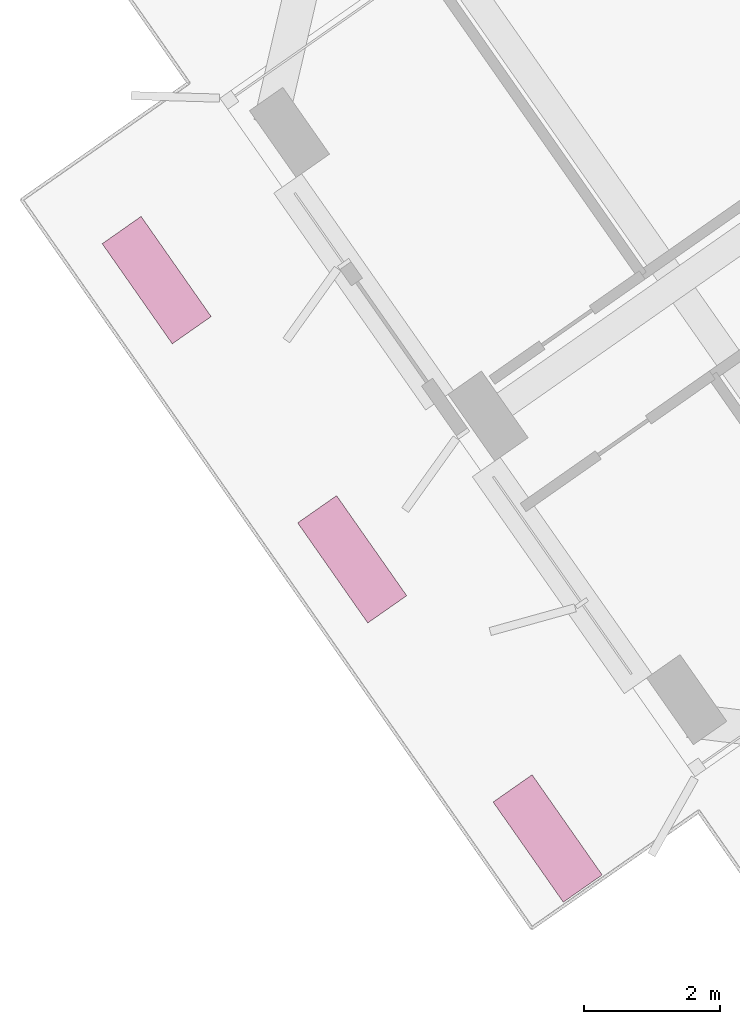
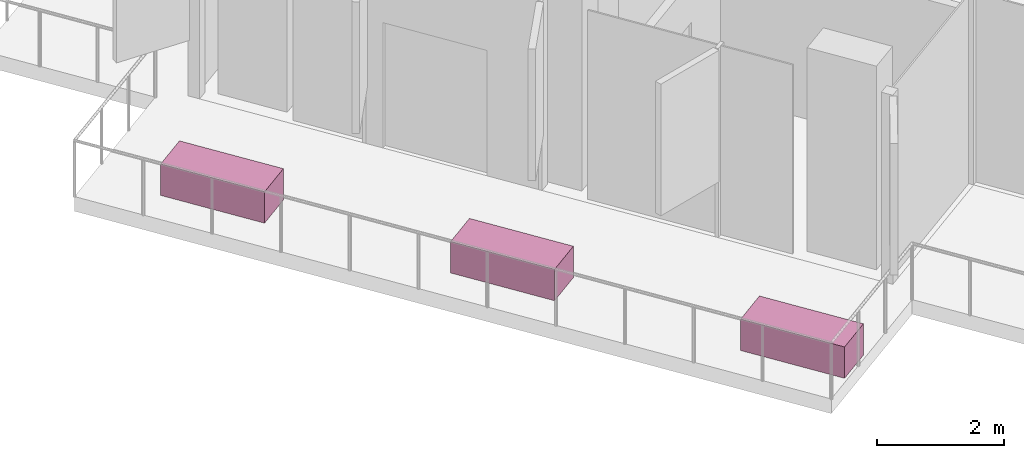
# One storey, part 22 of 22: 3 furniture elements.
"""IFC4 building model written with IfcOpenShell, lengths in metres."""

import ifcopenshell
import ifcopenshell.guid

model = None  # the IFC model being written
_history = None  # IfcOwnerHistory: only IFC2X3 demands one
_inside = {}  # id of a spatial element -> (the spatial element, [elements in it])
_under = {}  # id of a project, library or spatial element -> (it, [spatial elements below it])
_declared = {}  # id of a project -> (the project, [libraries it declares])
_typed = {}  # id of a type object -> (the type object, [elements of that type])
_made_of = {}  # id of a material, layer set ... -> (it, [elements and type objects made of it])


def new_model(schema):
    """Start an empty IFC model of exactly this schema.

    Asked for "IFC4X3", IfcOpenShell would pick the latest addendum, in which some entities
    have other attributes; the version numbers below select the first issue.
    IFC2X3 requires an IfcOwnerHistory on every rooted entity: one is made here for all.
    """
    global model, _history
    if schema == "IFC4X3":
        model = ifcopenshell.file(schema_version=(4, 3, 0, 0))
    else:
        model = ifcopenshell.file(schema=schema)
    _inside.clear()
    _under.clear()
    _declared.clear()
    _typed.clear()
    _made_of.clear()
    _history = None
    if model.schema == "IFC2X3":
        org = make("IfcOrganization", Name="unknown")
        user = make(
            "IfcPersonAndOrganization",
            ThePerson=make("IfcPerson", FamilyName="unknown"),
            TheOrganization=org,
        )
        app = make(
            "IfcApplication",
            ApplicationDeveloper=org,
            Version="unknown",
            ApplicationFullName="unknown",
            ApplicationIdentifier="unknown",
        )
        _history = make(
            "IfcOwnerHistory",
            OwningUser=user,
            OwningApplication=app,
            ChangeAction="ADDED",
            CreationDate=0,
        )
    return model


def make(cls, **values):
    """One entity of the class cls with the attributes given. An attribute that is None is left unset."""
    return model.create_entity(
        cls, **{name: value for name, value in values.items() if value is not None}
    )


def rooted(cls, **values):
    """An entity with a GlobalId (a new one), such as an element, a storey or a relation."""
    return make(cls, GlobalId=ifcopenshell.guid.new(), OwnerHistory=_history, **values)


def si_unit(unit_type, name, prefix=None):
    """IfcSIUnit, for example si_unit("LENGTHUNIT", "METRE", prefix="MILLI")."""
    return make("IfcSIUnit", UnitType=unit_type, Prefix=prefix, Name=name)


def assignment(units):
    """IfcUnitAssignment: the units of a project."""
    return None if units is None else make("IfcUnitAssignment", Units=units)


def point(xyz):
    """IfcCartesianPoint."""
    return None if xyz is None else make("IfcCartesianPoint", Coordinates=xyz)


def direction(xyz):
    """IfcDirection."""
    return None if xyz is None else make("IfcDirection", DirectionRatios=xyz)


def frame(location, z_axis=None, x_axis=None):
    """IfcAxis2Placement3D, a coordinate frame: its origin and axes. An axis left out is left unset."""
    return make(
        "IfcAxis2Placement3D",
        Location=point(location),
        Axis=direction(z_axis),
        RefDirection=direction(x_axis),
    )


def frame_2d(location, x_axis=None):
    """IfcAxis2Placement2D, a coordinate frame in the plane: its origin and x axis."""
    return make(
        "IfcAxis2Placement2D", Location=point(location), RefDirection=direction(x_axis)
    )


def origin():
    """The frame at (0, 0, 0) with its axes left unset."""
    return frame((0.0, 0.0, 0.0))


def origin_2d():
    """The frame at (0, 0) in the plane with its x axis left unset."""
    return frame_2d((0.0, 0.0))


def place(relative_to, where):
    """IfcLocalPlacement: puts the frame where relative to a parent placement (None: the world)."""
    return make(
        "IfcLocalPlacement", PlacementRelTo=relative_to, RelativePlacement=where
    )


def context(
    kind, dimensions, precision=None, world=None, true_north=None, identifier=None
):
    """IfcGeometricRepresentationContext, for example the 3D "Model" context."""
    return make(
        "IfcGeometricRepresentationContext",
        ContextIdentifier=identifier,
        ContextType=kind,
        CoordinateSpaceDimension=dimensions,
        Precision=precision,
        WorldCoordinateSystem=world,
        TrueNorth=true_north,
    )


def subcontext(parent, identifier, kind, view, scale=None):
    """IfcGeometricRepresentationSubContext, for example "Body" below "Model"."""
    return make(
        "IfcGeometricRepresentationSubContext",
        ContextIdentifier=identifier,
        ContextType=kind,
        ParentContext=parent,
        TargetScale=scale,
        TargetView=view,
    )


def project(units=None, contexts=None):
    """IfcProject with its units and contexts."""
    return rooted(
        "IfcProject",
        Name="project",
        RepresentationContexts=contexts,
        UnitsInContext=assignment(units),
    )


def spatial(cls, under=None, at=None, **own):
    """A site, building, storey or space (cls), placed at a placement, below another one or the project."""
    s = rooted(cls, ObjectPlacement=at, **own)
    if under is not None:
        _under.setdefault(under.id(), (under, []))[1].append(s)
    return s


def profile(cls, at=None, kind="AREA", **sizes):
    """A parametric profile (cls). Its sizes go by their IFC names, for example OverallWidth=200.0."""
    return make(cls, ProfileType=kind, Position=at, **sizes)


def rectangle(**sizes):
    """IfcRectangleProfileDef."""
    return profile("IfcRectangleProfileDef", **sizes)


def extrude(swept, where, along, depth):
    """IfcExtrudedAreaSolid: the profile swept, set in the frame where, extruded along a direction by depth."""
    return make(
        "IfcExtrudedAreaSolid",
        SweptArea=swept,
        Position=where,
        ExtrudedDirection=direction(along),
        Depth=depth,
    )


def shape(context_of_items, identifier, shape_type, items):
    """IfcShapeRepresentation: the items that make up one representation, for example the "Body"."""
    return make(
        "IfcShapeRepresentation",
        ContextOfItems=context_of_items,
        RepresentationIdentifier=identifier,
        RepresentationType=shape_type,
        Items=items,
    )


def material(Name=None, Category=None):
    """IfcMaterial."""
    return make("IfcMaterial", Name=Name, Category=Category)


def made_of(thing, what):
    """Note that an element or type object is made of a material, layer set ...; save() writes the relation."""
    if what is not None:
        _made_of.setdefault(what.id(), (what, []))[1].append(thing)
    return thing


def type_object(cls, material=None, **own):
    """A type object (cls), such as IfcWallType, which elements share."""
    return made_of(rooted(cls, **own), material)


def element(
    cls,
    number,
    at=None,
    inside=None,
    cuts=None,
    type_object=None,
    material=None,
    context=None,
    identifier="Body",
    shape_type=None,
    held_by="IfcProductDefinitionShape",
    body=None,
    shapes=None,
    **own,
):
    """One element of the class cls, such as IfcWall. Its Tag is "e" and its number.

    at: its placement. inside: the storey or other place that contains it. cuts: it is an
    opening in that element (IfcRelVoidsElement). A single representation is given by context,
    identifier, shape_type and body (its items); several are given by shapes. held_by: the class
    of the entity that holds the representations. save() writes the other relations.
    """
    e = rooted(cls, Tag="e%d" % number, ObjectPlacement=at, **own)
    if body is not None:
        shapes = [shape(context, identifier, shape_type, body)]
    if shapes is not None:
        e.Representation = make(held_by, Representations=shapes)
    if inside is not None:
        _inside.setdefault(inside.id(), (inside, []))[1].append(e)
    if cuts is not None:
        rooted(
            "IfcRelVoidsElement", RelatingBuildingElement=cuts, RelatedOpeningElement=e
        )
    if type_object is not None:
        _typed.setdefault(type_object.id(), (type_object, []))[1].append(e)
    return made_of(e, material)


def aggregate(whole, parts):
    """IfcRelAggregates: a whole, such as a stair, and the parts it consists of."""
    return rooted("IfcRelAggregates", RelatingObject=whole, RelatedObjects=parts)


def save(model, path):
    """Write the relations noted so far, then the file.

    IfcRelAggregates (storeys below a building ...), IfcRelContainedInSpatialStructure (elements
    in a storey), IfcRelDefinesByType, IfcRelAssociatesMaterial and IfcRelDeclares: one each for
    every whole, place, type object, material and project.
    """
    for whole, parts in _under.values():
        aggregate(whole, parts)
    for where, things in _inside.values():
        rooted(
            "IfcRelContainedInSpatialStructure",
            RelatedElements=things,
            RelatingStructure=where,
        )
    for kind, things in _typed.values():
        rooted("IfcRelDefinesByType", RelatedObjects=things, RelatingType=kind)
    for what, things in _made_of.values():
        rooted("IfcRelAssociatesMaterial", RelatedObjects=things, RelatingMaterial=what)
    for by, libraries in _declared.values():
        rooted("IfcRelDeclares", RelatingContext=by, RelatedDefinitions=libraries)
    model.write(path)


model = new_model("IFC4")

# Units and contexts
model_context = context("Model", 3, precision=1e-05, world=origin(), true_north=direction((0.0, 1.0)))
body_context = subcontext(model_context, "Body", "Model", "MODEL_VIEW")
ifc_project = project(units=[si_unit("LENGTHUNIT", "METRE"), si_unit("AREAUNIT", "SQUARE_METRE"), si_unit("VOLUMEUNIT", "CUBIC_METRE"), si_unit("PLANEANGLEUNIT", "RADIAN"), si_unit("MASSUNIT", "GRAM", prefix="KILO")], contexts=[model_context])

# Site, building, storey
site_placement = place(None, origin())
site = spatial("IfcSite", under=ifc_project, at=site_placement, CompositionType="ELEMENT")
building_placement = place(site_placement, origin())
building = spatial("IfcBuilding", under=site, at=building_placement, Name="Tel Ilan Convention Tower", CompositionType="ELEMENT")
storey_placement = place(building_placement, frame((0.0, 0.0, 202.199951171875)))
storey = spatial("IfcBuildingStorey", under=building, at=storey_placement, Name="L47", CompositionType="ELEMENT", Elevation=202.199951171875)

# Furniture
ifc_material = material(Name="Concrete C30/37", Category="concrete")
furniture_type = type_object("IfcFurnitureType", Name="PLANTER 1800x700", AssemblyPlace="NOTDEFINED", PredefinedType="NOTDEFINED", material=ifc_material)
for number, where, z_axis, x_axis, name in (
    (1, (-30.307373046875, -29.766845703125, 0.0), (0.0, 0.0, 1.0), (-0.573576436351, 0.819152044289, 0.0), "PLANTER"),
    (2, (-33.186767578125, -25.65478515625, 0.0), (0.0, 0.0, 1.0), (-0.573576436351, 0.819152044289, 0.0), "PLANTER"),
    (3, (-36.066162109375, -21.542724609375, 0.0), (0.0, 0.0, 1.0), (-0.573576436351, 0.819152044289, 0.0), "PLANTER"),
):
    element("IfcFurniture", number, at=place(storey_placement, frame(where, z_axis=z_axis, x_axis=x_axis)), inside=storey, type_object=furniture_type, Name=name, PredefinedType="NOTDEFINED", context=body_context, shape_type="SweptSolid", body=[
        extrude(rectangle(XDim=1.800048828125, YDim=0.699951171875, at=origin_2d()), origin(), (0.0, 0.0, 1.0), 0.60009765625),
    ])

save(model, "model.ifc")
